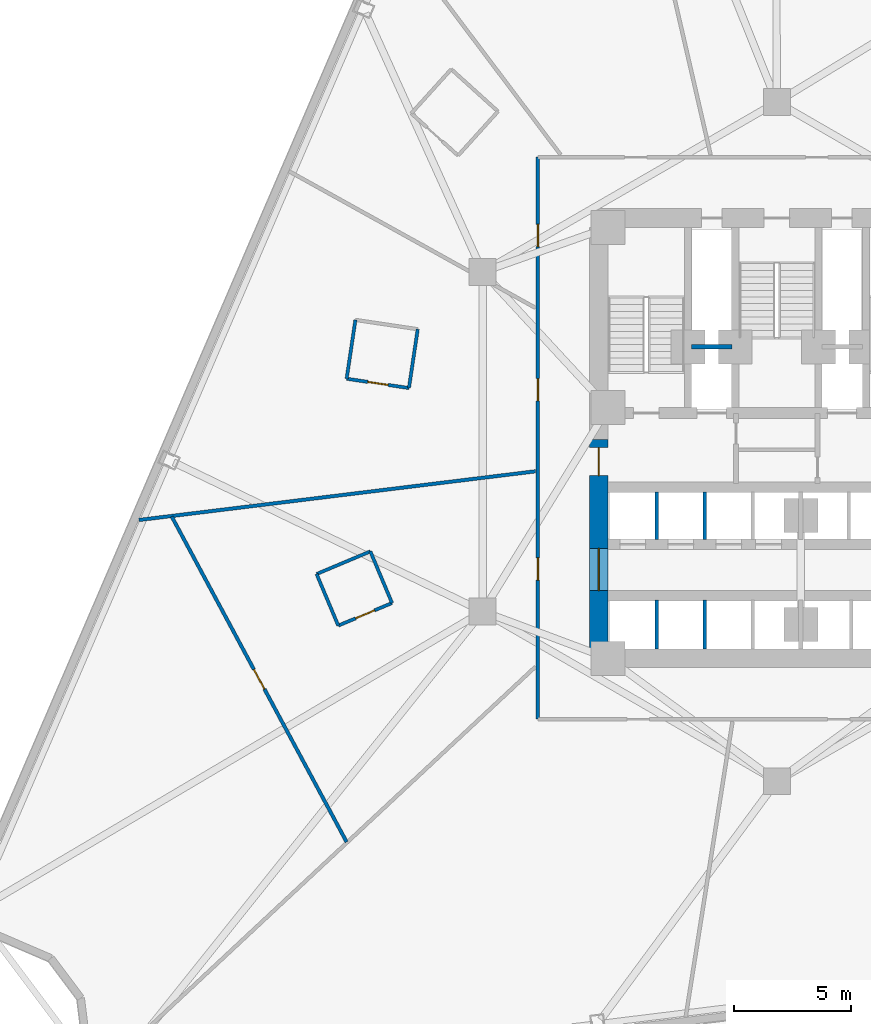
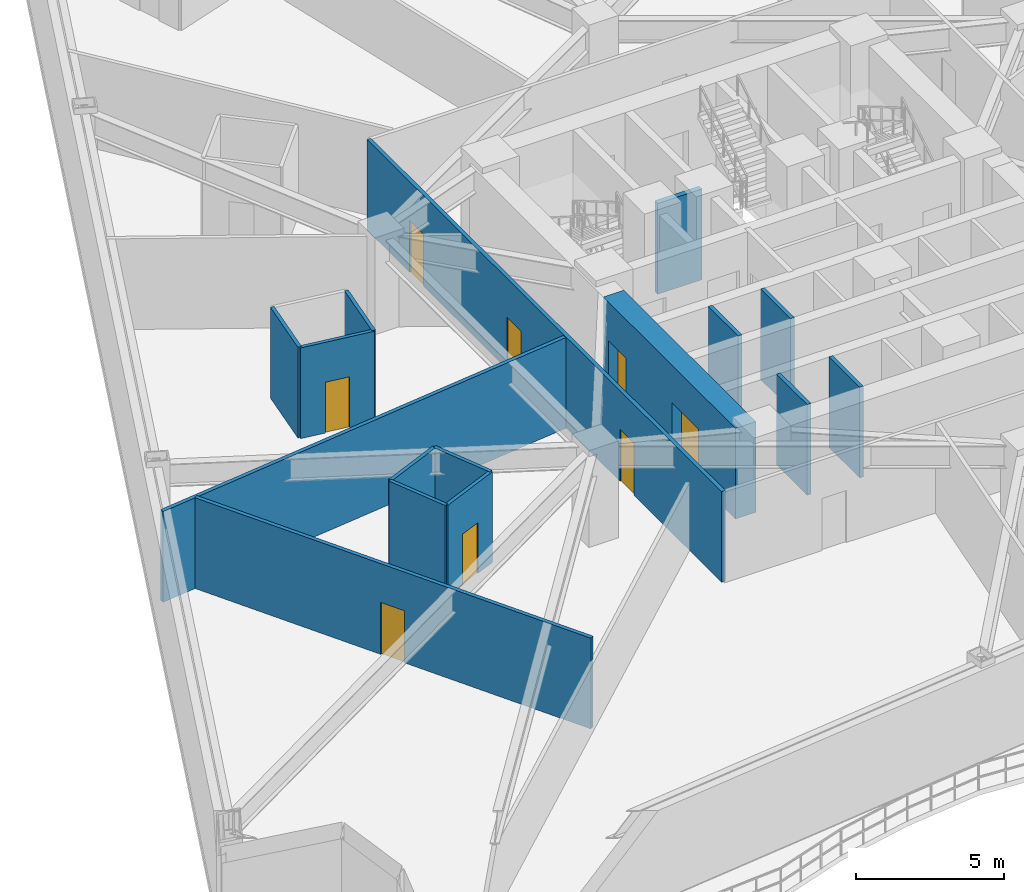
# One storey, part 3 of 10: 16 walls, 8 doors, 8 openings.
"""IFC4 building model written with IfcOpenShell, lengths in metres."""

from ifc_helpers import new_model, si_unit, direction, frame, frame_2d, origin, place, context, subcontext, project, spatial, rectangle, extrude, material, layer, layer_set, type_object, element, fill, save


model = new_model("IFC4")

# Units and contexts
model_context = context("Model", 3, precision=1e-05, world=origin(), true_north=direction((0.0, 1.0)))
body_context = subcontext(model_context, "Body", "Model", "MODEL_VIEW")
ifc_project = project(units=[si_unit("LENGTHUNIT", "METRE"), si_unit("AREAUNIT", "SQUARE_METRE"), si_unit("VOLUMEUNIT", "CUBIC_METRE"), si_unit("PLANEANGLEUNIT", "RADIAN"), si_unit("MASSUNIT", "GRAM", prefix="KILO")], contexts=[model_context])

# Site, building, storey
site_placement = place(None, origin())
site = spatial("IfcSite", under=ifc_project, at=site_placement, CompositionType="ELEMENT")
building_placement = place(site_placement, origin())
building = spatial("IfcBuilding", under=site, at=building_placement, Name="Apsidion Concourse Tower", CompositionType="ELEMENT")
storey_placement = place(building_placement, frame((0.0, 0.0, 87.0)))
storey = spatial("IfcBuildingStorey", under=building, at=storey_placement, Name="L19", CompositionType="ELEMENT", Elevation=87.0)

# Walls
ifc_material_1 = material(Name="Gypsum plasterboard partition")
ifc_layer_1 = layer(ifc_material_1, 0.139892578125)
ifc_layer_set_1 = layer_set([ifc_layer_1], Name="Gypsum plasterboard partition")
wall_type_1 = type_object("IfcWallType", Name="WL-INT-PAR-140", PredefinedType="PARTITIONING", material=ifc_layer_set_1)
wall_1_placement = place(storey_placement, frame((-17.35693359375, -4.68603515625, 0.0), z_axis=(0.0, 0.0, 1.0), x_axis=(-0.921836420351, -0.387579171415, 0.0)))
element("IfcWall", 1, at=wall_1_placement, inside=storey, type_object=wall_type_1, Name="L19 Interior Partition WL-L19-POD-HKAWC-S1", PredefinedType="PARTITIONING", context=body_context, shape_type="SweptSolid", body=[
    extrude(rectangle(XDim=2.489990234375, YDim=0.139892578125, at=frame_2d((1.2451171875, 0.0))), origin(), (0.0, 0.0, 1.0), 3.75),
])
wall_2_placement = place(storey_placement, frame((-19.65234375, -5.651123046875, 0.0), z_axis=(0.0, 0.0, 1.0), x_axis=(0.387486041569, -0.921875570557, 0.0)))
element("IfcWall", 2, at=wall_2_placement, inside=storey, type_object=wall_type_1, Name="L19 Interior Partition WL-L19-POD-HKAWC-S2", PredefinedType="PARTITIONING", context=body_context, shape_type="SweptSolid", body=[
    extrude(rectangle(XDim=2.389892578125, YDim=0.139892578125, at=frame_2d((1.19482421875, 0.0))), origin(), (0.0, 0.0, 1.0), 3.75),
])

# Wall, opening, door
wall_3_placement = place(storey_placement, frame((-18.726318359375, -7.854248046875, 0.0), z_axis=(0.0, 0.0, 1.0), x_axis=(0.921871448543, 0.387495848186, 0.0)))
wall_3 = element("IfcWall", 3, at=wall_3_placement, inside=storey, type_object=wall_type_1, Name="L19 Interior Partition WL-L19-POD-HKAWC-S3", PredefinedType="PARTITIONING", context=body_context, shape_type="SweptSolid", body=[
    extrude(rectangle(XDim=2.489990234375, YDim=0.139892578125, at=frame_2d((1.2451171875, 0.0))), origin(), (0.0, 0.0, 1.0), 3.75),
])
opening_1_placement = place(wall_3_placement, frame((0.804931640625, 0.0, 0.0)))
opening_1 = element("IfcOpeningElement", 4, at=opening_1_placement, cuts=wall_3, Name="Opening D-03L", PredefinedType="OPENING", context=body_context, shape_type="SweptSolid", body=[
    extrude(rectangle(XDim=0.8798828125, YDim=2.10009765625, at=frame_2d((0.43994140625, 1.050048828125))), frame((0.0, 0.080078125, 0.0), z_axis=(0.0, -1.0, 0.0), x_axis=(1.0, 0.0, 0.0)), (0.0, 0.0, 1.0), 0.159912109375),
])
ifc_material_2 = material(Name="Anodised aluminium EN AW-6063 T6", Category="aluminium")
door_type_1 = type_object("IfcDoorType", Name="DR-INT-D03L", OperationType="SINGLE_SWING_LEFT", PredefinedType="DOOR", material=ifc_material_2)
door_1_placement = place(opening_1_placement, origin())
door_1 = element("IfcDoor", 5, at=door_1_placement, inside=storey, type_object=door_type_1, Name="L19 Hotel Accessible WC Door HKAWC", OperationType="SINGLE_SWING_LEFT", OverallHeight=2.10009765625, OverallWidth=0.8798828125, PredefinedType="DOOR", context=body_context, shape_type="SweptSolid", body=[
    extrude(rectangle(XDim=0.8798828125, YDim=2.10009765625, at=frame_2d((0.43994140625, 1.050048828125))), frame((0.0, 0.02490234375, 0.0), z_axis=(0.0, -1.0, 0.0), x_axis=(1.0, 0.0, 0.0)), (0.0, 0.0, 1.0), 0.050048828125),
])
fill(opening_1, door_1)

# Walls
wall_4_placement = place(storey_placement, frame((-16.430908203125, -6.889404296875, 0.0), z_axis=(0.0, 0.0, 1.0), x_axis=(-0.387449552373, 0.921890906977, 0.0)))
element("IfcWall", 6, at=wall_4_placement, inside=storey, type_object=wall_type_1, Name="L19 Interior Partition WL-L19-POD-HKAWC-S4", PredefinedType="PARTITIONING", context=body_context, shape_type="SweptSolid", body=[
    extrude(rectangle(XDim=2.39013671875, YDim=0.139892578125, at=frame_2d((1.195068359375, 0.0))), origin(), (0.0, 0.0, 1.0), 3.75),
])
wall_5_placement = place(storey_placement, frame((-17.993896484375, 5.19970703125, 0.0), z_axis=(0.0, 0.0, 1.0), x_axis=(-0.147823437669, -0.98901376698, 0.0)))
element("IfcWall", 7, at=wall_5_placement, inside=storey, type_object=wall_type_1, Name="L19 Interior Partition WL-L19-POD-ENS09-S2", PredefinedType="PARTITIONING", context=body_context, shape_type="SweptSolid", body=[
    extrude(rectangle(XDim=2.5400390625, YDim=0.139892578125, at=frame_2d((1.27001953125, 0.0))), origin(), (0.0, 0.0, 1.0), 3.75),
])

# Wall, opening, door
wall_6_placement = place(storey_placement, frame((-18.369384765625, 2.6875, 0.0), z_axis=(0.0, 0.0, 1.0), x_axis=(0.989010125109, -0.147847801579, 0.0)))
wall_6 = element("IfcWall", 8, at=wall_6_placement, inside=storey, type_object=wall_type_1, Name="L19 Interior Partition WL-L19-POD-ENS09-S3", PredefinedType="PARTITIONING", context=body_context, shape_type="SweptSolid", body=[
    extrude(rectangle(XDim=2.68994140625, YDim=0.139892578125, at=frame_2d((1.344970703125, 0.0))), origin(), (0.0, 0.0, 1.0), 3.75),
])
opening_2_placement = place(wall_6_placement, frame((0.905029296875, 0.0, 0.0)))
opening_2 = element("IfcOpeningElement", 9, at=opening_2_placement, cuts=wall_6, Name="Opening D-03R", PredefinedType="OPENING", context=body_context, shape_type="SweptSolid", body=[
    extrude(rectangle(XDim=0.8798828125, YDim=2.10009765625, at=frame_2d((0.43994140625, 1.050048828125))), frame((0.0, 0.080078125, 0.0), z_axis=(0.0, -1.0, 0.0), x_axis=(1.0, 0.0, 0.0)), (0.0, 0.0, 1.0), 0.159912109375),
])
door_type_2 = type_object("IfcDoorType", Name="DR-INT-D03R", OperationType="SINGLE_SWING_RIGHT", PredefinedType="DOOR", material=ifc_material_2)
door_2_placement = place(opening_2_placement, origin())
door_2 = element("IfcDoor", 10, at=door_2_placement, inside=storey, type_object=door_type_2, Name="L19 Guest En-Suite Bathroom Door ENS09", OperationType="SINGLE_SWING_RIGHT", OverallHeight=2.10009765625, OverallWidth=0.8798828125, PredefinedType="DOOR", context=body_context, shape_type="SweptSolid", body=[
    extrude(rectangle(XDim=0.8798828125, YDim=2.10009765625, at=frame_2d((0.43994140625, 1.050048828125))), frame((0.0, 0.02490234375, 0.0), z_axis=(0.0, -1.0, 0.0), x_axis=(1.0, 0.0, 0.0)), (0.0, 0.0, 1.0), 0.050048828125),
])
fill(opening_2, door_2)

# Walls
wall_7_placement = place(storey_placement, frame((-15.708984375, 2.289794921875, 0.0), z_axis=(0.0, 0.0, 1.0), x_axis=(0.147823437669, 0.98901376698, 0.0)))
element("IfcWall", 11, at=wall_7_placement, inside=storey, type_object=wall_type_1, Name="L19 Interior Partition WL-L19-POD-ENS09-S4", PredefinedType="PARTITIONING", context=body_context, shape_type="SweptSolid", body=[
    extrude(rectangle(XDim=2.5400390625, YDim=0.139892578125, at=frame_2d((1.27001953125, 0.0))), origin(), (0.0, 0.0, 1.0), 3.75),
])
ifc_layer_2 = layer(ifc_material_1, 0.14990234375)
ifc_layer_set_2 = layer_set([ifc_layer_2], Name="Gypsum plasterboard partition")
wall_type_2 = type_object("IfcWallType", Name="WL-INT-PAR-150", PredefinedType="PARTITIONING", material=ifc_layer_set_2)
for number, where, z_axis, x_axis, name in (
    (12, (-5.125, -4.179931640625, 0.0), (0.0, 0.0, 1.0), (0.0, 1.0, 0.0), "L19 Interior Partition WL-L19-B1DIV-1"),
    (13, (-3.074951171875, -4.179931640625, 0.0), (0.0, 0.0, 1.0), (0.0, 1.0, 0.0), "L19 Interior Partition WL-L19-B1DIV-2"),
):
    element("IfcWall", number, at=place(storey_placement, frame(where, z_axis=z_axis, x_axis=x_axis)), inside=storey, type_object=wall_type_2, Name=name, PredefinedType="PARTITIONING", context=body_context, shape_type="SweptSolid", body=[
        extrude(rectangle(XDim=2.030029296875, YDim=0.14990234375, at=frame_2d((1.01513671875, 0.0))), origin(), (0.0, 0.0, 1.0), 3.75),
    ])
for number, where, z_axis, x_axis, name in (
    (14, (-5.125, -8.85009765625, 0.0), (0.0, 0.0, 1.0), (0.0, 1.0, 0.0), "L19 Interior Partition WL-L19-B2DIV-1"),
    (15, (-3.074951171875, -8.85009765625, 0.0), (0.0, 0.0, 1.0), (0.0, 1.0, 0.0), "L19 Interior Partition WL-L19-B2DIV-2"),
):
    element("IfcWall", number, at=place(storey_placement, frame(where, z_axis=z_axis, x_axis=x_axis)), inside=storey, type_object=wall_type_2, Name=name, PredefinedType="PARTITIONING", context=body_context, shape_type="SweptSolid", body=[
        extrude(rectangle(XDim=2.080078125, YDim=0.14990234375, at=frame_2d((1.0400390625, 0.0))), origin(), (0.0, 0.0, 1.0), 3.75),
    ])

# Wall, openings, doors
wall_8_placement = place(storey_placement, frame((-10.199951171875, -11.85009765625, 0.0), z_axis=(0.0, 0.0, 1.0), x_axis=(0.0, 1.0, 0.0)))
wall_8 = element("IfcWall", 16, at=wall_8_placement, inside=storey, type_object=wall_type_2, Name="L19 Interior Partition WL-L19-CORR-04", PredefinedType="PARTITIONING", context=body_context, shape_type="SweptSolid", body=[
    extrude(rectangle(XDim=24.0, YDim=0.14990234375, at=frame_2d((12.0, 0.0))), origin(), (0.0, 0.0, 1.0), 3.75),
])
opening_3_placement = place(wall_8_placement, frame((5.935302734375, 0.0, 0.0)))
opening_3 = element("IfcOpeningElement", 17, at=opening_3_placement, cuts=wall_8, Name="Opening D-01L", PredefinedType="OPENING", context=body_context, shape_type="SweptSolid", body=[
    extrude(rectangle(XDim=0.949951171875, YDim=2.14990234375, at=frame_2d((0.47509765625, 1.074951171875))), frame((0.0, 0.0849609375, 0.0), z_axis=(0.0, -1.0, 0.0), x_axis=(1.0, 0.0, 0.0)), (0.0, 0.0, 1.0), 0.169921875),
])
opening_4_placement = place(wall_8_placement, frame((20.177001953125, 0.0, 0.0)))
opening_4 = element("IfcOpeningElement", 18, at=opening_4_placement, cuts=wall_8, Name="Opening D-01L", PredefinedType="OPENING", context=body_context, shape_type="SweptSolid", body=[
    extrude(rectangle(XDim=0.949951171875, YDim=2.14990234375, at=frame_2d((0.47509765625, 1.074951171875))), frame((0.0, 0.0849609375, 0.0), z_axis=(0.0, -1.0, 0.0), x_axis=(1.0, 0.0, 0.0)), (0.0, 0.0, 1.0), 0.169921875),
])
opening_5_placement = place(wall_8_placement, frame((13.59375, 0.0, 0.0)))
opening_5 = element("IfcOpeningElement", 19, at=opening_5_placement, cuts=wall_8, Name="Opening D-01R", PredefinedType="OPENING", context=body_context, shape_type="SweptSolid", body=[
    extrude(rectangle(XDim=0.949951171875, YDim=2.14990234375, at=frame_2d((0.47509765625, 1.074951171875))), frame((0.0, 0.0849609375, 0.0), z_axis=(0.0, -1.0, 0.0), x_axis=(1.0, 0.0, 0.0)), (0.0, 0.0, 1.0), 0.169921875),
])
ifc_material_3 = material(Name="Brushed stainless steel 316", Category="steel")
door_type_3 = type_object("IfcDoorType", Name="DR-INT-D01L", OperationType="SINGLE_SWING_LEFT", PredefinedType="DOOR", material=ifc_material_3)
door_3_placement = place(opening_3_placement, origin())
door_3 = element("IfcDoor", 20, at=door_3_placement, inside=storey, type_object=door_type_3, Name="L19 Corridor Entry Door 01", OperationType="SINGLE_SWING_LEFT", OverallHeight=2.14990234375, OverallWidth=0.949951171875, PredefinedType="DOOR", context=body_context, shape_type="SweptSolid", body=[
    extrude(rectangle(XDim=0.949951171875, YDim=2.14990234375, at=frame_2d((0.47509765625, 1.074951171875))), frame((0.0, 0.02490234375, 0.0), z_axis=(0.0, -1.0, 0.0), x_axis=(1.0, 0.0, 0.0)), (0.0, 0.0, 1.0), 0.050048828125),
])
fill(opening_3, door_3)
door_4_placement = place(opening_4_placement, origin())
door_4 = element("IfcDoor", 21, at=door_4_placement, inside=storey, type_object=door_type_3, Name="L19 Corridor Entry Door 09", OperationType="SINGLE_SWING_LEFT", OverallHeight=2.14990234375, OverallWidth=0.949951171875, PredefinedType="DOOR", context=body_context, shape_type="SweptSolid", body=[
    extrude(rectangle(XDim=0.949951171875, YDim=2.14990234375, at=frame_2d((0.47509765625, 1.074951171875))), frame((0.0, 0.02490234375, 0.0), z_axis=(0.0, -1.0, 0.0), x_axis=(1.0, 0.0, 0.0)), (0.0, 0.0, 1.0), 0.050048828125),
])
fill(opening_4, door_4)
door_type_4 = type_object("IfcDoorType", Name="DR-INT-D01R", OperationType="SINGLE_SWING_RIGHT", PredefinedType="DOOR", material=ifc_material_3)
door_5_placement = place(opening_5_placement, origin())
door_5 = element("IfcDoor", 22, at=door_5_placement, inside=storey, type_object=door_type_4, Name="L19 Corridor Entry Door 10", OperationType="SINGLE_SWING_RIGHT", OverallHeight=2.14990234375, OverallWidth=0.949951171875, PredefinedType="DOOR", context=body_context, shape_type="SweptSolid", body=[
    extrude(rectangle(XDim=0.949951171875, YDim=2.14990234375, at=frame_2d((0.47509765625, 1.074951171875))), frame((0.0, 0.02490234375, 0.0), z_axis=(0.0, -1.0, 0.0), x_axis=(1.0, 0.0, 0.0)), (0.0, 0.0, 1.0), 0.050048828125),
])
fill(opening_5, door_5)

# Wall
wall_9_placement = place(storey_placement, frame((-10.304931640625, -1.265380859375, 0.0), z_axis=(0.0, 0.0, 1.0), x_axis=(-0.992546036283, -0.121870282921, 0.0)))
element("IfcWall", 23, at=wall_9_placement, inside=storey, type_object=wall_type_2, Name="L19 Interior Partition WL-L19-RAD-06-1", PredefinedType="PARTITIONING", context=body_context, shape_type="SweptSolid", body=[
    extrude(rectangle(XDim=17.06396484375, YDim=0.14990234375, at=frame_2d((8.531982421875, 0.0))), origin(), (0.0, 0.0, 1.0), 3.75),
])

# Wall, opening, door
wall_10_placement = place(storey_placement, frame((-25.837646484375, -3.19775390625, 0.0), z_axis=(0.0, 0.0, 1.0), x_axis=(0.473387285953, -0.880854401986, 0.0)))
wall_10 = element("IfcWall", 24, at=wall_10_placement, inside=storey, type_object=wall_type_2, Name="L19 Interior Partition WL-L19-CHD-HKWC", PredefinedType="PARTITIONING", context=body_context, shape_type="SweptSolid", body=[
    extrude(rectangle(XDim=15.77734375, YDim=0.14990234375, at=frame_2d((7.888671875, 0.0))), origin(), (0.0, 0.0, 1.0), 3.75),
])
opening_6_placement = place(wall_10_placement, frame((7.41357421875, 0.0, 0.0)))
opening_6 = element("IfcOpeningElement", 25, at=opening_6_placement, cuts=wall_10, Name="Opening D-04R", PredefinedType="OPENING", context=body_context, shape_type="SweptSolid", body=[
    extrude(rectangle(XDim=0.949951171875, YDim=2.14990234375, at=frame_2d((0.47509765625, 1.074951171875))), frame((0.0, 0.0849609375, 0.0), z_axis=(0.0, -1.0, 0.0), x_axis=(1.0, 0.0, 0.0)), (0.0, 0.0, 1.0), 0.169921875),
])
door_type_5 = type_object("IfcDoorType", Name="DR-INT-D04R", OperationType="SINGLE_SWING_RIGHT", PredefinedType="DOOR", material=ifc_material_3)
door_6_placement = place(opening_6_placement, origin())
door_6 = element("IfcDoor", 26, at=door_6_placement, inside=storey, type_object=door_type_5, Name="L19 Suite Connecting Door HKWC", OperationType="SINGLE_SWING_RIGHT", OverallHeight=2.14990234375, OverallWidth=0.949951171875, PredefinedType="DOOR", context=body_context, shape_type="SweptSolid", body=[
    extrude(rectangle(XDim=0.949951171875, YDim=2.14990234375, at=frame_2d((0.47509765625, 1.074951171875))), frame((0.0, 0.02490234375, 0.0), z_axis=(0.0, -1.0, 0.0), x_axis=(1.0, 0.0, 0.0)), (0.0, 0.0, 1.0), 0.050048828125),
])
fill(opening_6, door_6)

# Wall
ifc_layer_3 = layer(ifc_material_1, 0.199951171875)
ifc_layer_set_3 = layer_set([ifc_layer_3], Name="Gypsum plasterboard partition")
wall_type_3 = type_object("IfcWallType", Name="WL-INT-PAR-200", PredefinedType="PARTITIONING", material=ifc_layer_set_3)
wall_11_placement = place(storey_placement, frame((-3.64990234375, 4.050048828125, 0.0), z_axis=(0.0, 0.0, 1.0), x_axis=(1.0, 0.0, 0.0)))
element("IfcWall", 27, at=wall_11_placement, inside=storey, type_object=wall_type_3, Name="L19 Interior Partition WL-L19-FF1-N", PredefinedType="PARTITIONING", context=body_context, shape_type="SweptSolid", body=[
    extrude(rectangle(XDim=1.72998046875, YDim=0.199951171875, at=frame_2d((0.864990234375, 0.0))), origin(), (0.0, 0.0, 1.0), 3.75),
])

# Wall, openings, doors
ifc_material_4 = material(Name="Concrete C60/75", Category="concrete")
ifc_layer_4 = layer(ifc_material_4, 0.800048828125)
ifc_layer_set_4 = layer_set([ifc_layer_4], Name="Concrete C60/75")
wall_type_4 = type_object("IfcWallType", Name="WL-SH-800", PredefinedType="SHEAR", material=ifc_layer_set_4)
wall_12_placement = place(storey_placement, frame((-7.60009765625, -8.85009765625, 0.0), z_axis=(0.0, 0.0, 1.0), x_axis=(0.0, 1.0, 0.0)))
wall_12 = element("IfcWall", 28, at=wall_12_placement, inside=storey, type_object=wall_type_4, Name="L19 Central Core Shear Wall WS", PredefinedType="SHEAR", context=body_context, shape_type="SweptSolid", body=[
    extrude(rectangle(XDim=8.9501953125, YDim=0.800048828125, at=frame_2d((4.47509765625, 0.0))), origin(), (0.0, 0.0, 1.0), 3.75),
])
opening_7_placement = place(wall_12_placement, frame((2.489990234375, 0.0, 0.0)))
opening_7 = element("IfcOpeningElement", 29, at=opening_7_placement, cuts=wall_12, Name="Opening D-06D", PredefinedType="OPENING", context=body_context, shape_type="SweptSolid", body=[
    extrude(rectangle(XDim=1.800048828125, YDim=2.199951171875, at=frame_2d((0.89990234375, 1.10009765625))), frame((0.0, 0.41015625, 0.0), z_axis=(0.0, -1.0, 0.0), x_axis=(1.0, 0.0, 0.0)), (0.0, 0.0, 1.0), 0.820068359375),
])
opening_8_placement = place(wall_12_placement, frame((7.39990234375, 0.0, 0.0)))
opening_8 = element("IfcOpeningElement", 30, at=opening_8_placement, cuts=wall_12, Name="Opening D-FFL", PredefinedType="OPENING", context=body_context, shape_type="SweptSolid", body=[
    extrude(rectangle(XDim=1.199951171875, YDim=2.14990234375, at=frame_2d((0.60009765625, 1.074951171875))), frame((0.0, 0.41015625, 0.0), z_axis=(0.0, -1.0, 0.0), x_axis=(1.0, 0.0, 0.0)), (0.0, 0.0, 1.0), 0.820068359375),
])
door_type_6 = type_object("IfcDoorType", Name="DR-INT-D06D", OperationType="DOUBLE_DOOR_SINGLE_SWING", PredefinedType="DOOR", material=ifc_material_3)
door_7_placement = place(opening_7_placement, origin())
door_7 = element("IfcDoor", 31, at=door_7_placement, inside=storey, type_object=door_type_6, Name="L19 Passenger Lift Lobby WS Portal Door", OperationType="DOUBLE_DOOR_SINGLE_SWING", OverallHeight=2.199951171875, OverallWidth=1.800048828125, PredefinedType="DOOR", context=body_context, shape_type="SweptSolid", body=[
    extrude(rectangle(XDim=1.800048828125, YDim=2.199951171875, at=frame_2d((0.89990234375, 1.10009765625))), frame((0.0, 0.02490234375, 0.0), z_axis=(0.0, -1.0, 0.0), x_axis=(1.0, 0.0, 0.0)), (0.0, 0.0, 1.0), 0.050048828125),
])
fill(opening_7, door_7)
door_type_7 = type_object("IfcDoorType", Name="DR-INT-FFL", OperationType="SINGLE_SWING_LEFT", PredefinedType="DOOR", material=ifc_material_3)
door_8_placement = place(opening_8_placement, origin())
door_8 = element("IfcDoor", 32, at=door_8_placement, inside=storey, type_object=door_type_7, Name="L19 Firefighting Lift Lobby FF1 Door", OperationType="SINGLE_SWING_LEFT", OverallHeight=2.14990234375, OverallWidth=1.199951171875, PredefinedType="DOOR", context=body_context, shape_type="SweptSolid", body=[
    extrude(rectangle(XDim=1.199951171875, YDim=2.14990234375, at=frame_2d((0.60009765625, 1.074951171875))), frame((0.0, 0.02490234375, 0.0), z_axis=(0.0, -1.0, 0.0), x_axis=(1.0, 0.0, 0.0)), (0.0, 0.0, 1.0), 0.050048828125),
])
fill(opening_8, door_8)

save(model, "model.ifc")
